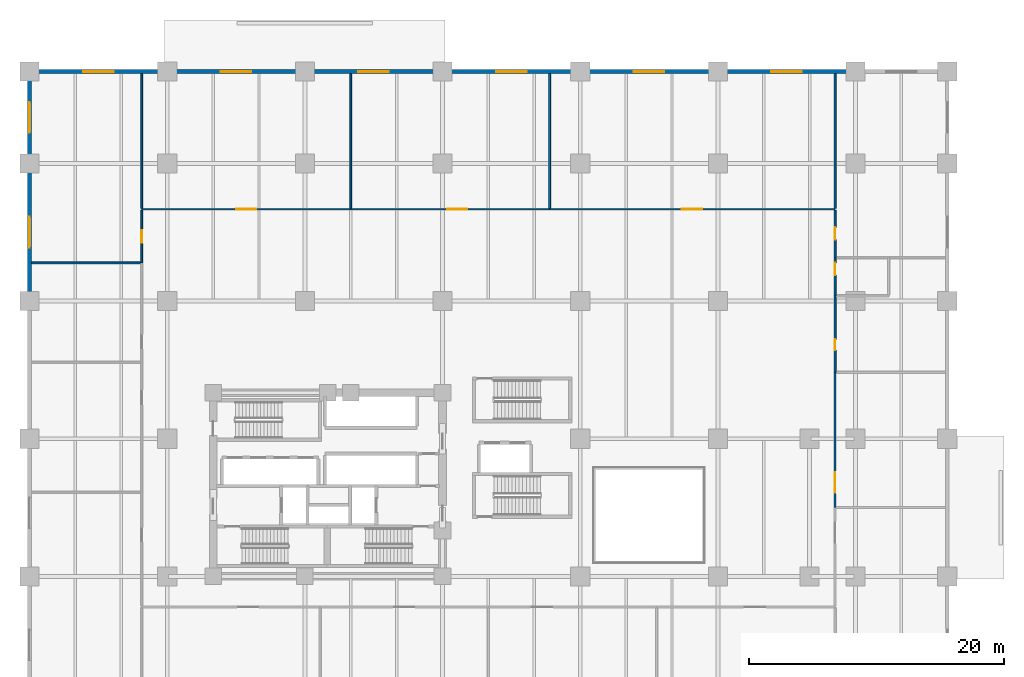
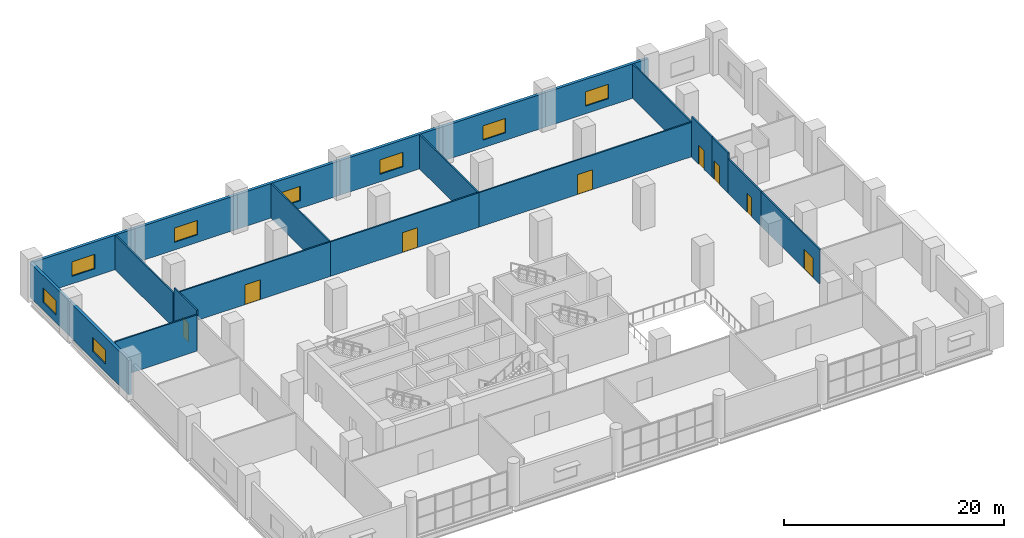
# One storey, part 12 of 16: 21 walls, 8 doors, 8 windows, 16 openings.
"""IFC4 building model written with IfcOpenShell, lengths in metres."""

from ifc_helpers import new_model, si_unit, direction, frame, frame_2d, origin, place, context, subcontext, project, spatial, rectangle, extrude, material, layer, layer_set, type_object, element, fill, save


model = new_model("IFC4")

# Units and contexts
model_context = context("Model", 3, precision=1e-05, world=origin(), true_north=direction((0.0, 1.0)))
body_context = subcontext(model_context, "Body", "Model", "MODEL_VIEW")
ifc_project = project(units=[si_unit("LENGTHUNIT", "METRE"), si_unit("AREAUNIT", "SQUARE_METRE"), si_unit("VOLUMEUNIT", "CUBIC_METRE"), si_unit("PLANEANGLEUNIT", "RADIAN"), si_unit("MASSUNIT", "GRAM", prefix="KILO")], contexts=[model_context])

# Site, building, storey
site_placement = place(None, origin())
site = spatial("IfcSite", under=ifc_project, at=site_placement, CompositionType="ELEMENT")
building_placement = place(site_placement, origin())
building = spatial("IfcBuilding", under=site, at=building_placement, Name="Solnavia Interchange Tower", CompositionType="ELEMENT")
storey_placement = place(building_placement, frame((0.0, 0.0, 5.39990234375)))
storey = spatial("IfcBuildingStorey", under=building, at=storey_placement, Name="L01", CompositionType="ELEMENT", Elevation=5.39990234375)

# Wall, opening, window
ifc_material_1 = material(Name="Concrete C40/50", Category="concrete")
ifc_layer_1 = layer(ifc_material_1, 0.300048828125)
ifc_layer_set_1 = layer_set([ifc_layer_1], Name="Concrete C40/50")
wall_type_1 = type_object("IfcWallType", Name="Wall-ExtSpandrel-300", PredefinedType="STANDARD", material=ifc_layer_set_1)
wall_1_placement = place(storey_placement, frame((0.0, 50.39990234375, 0.0), z_axis=(0.0, 0.0, 1.0), x_axis=(1.0, 0.0, 0.0)))
wall_1 = element("IfcWall", 1, at=wall_1_placement, inside=storey, type_object=wall_type_1, Name="EXW-L01-N01 North podium wall", PredefinedType="STANDARD", context=body_context, shape_type="SweptSolid", body=[
    extrude(rectangle(XDim=10.800048828125, YDim=0.300048828125, at=frame_2d((5.39990234375, 0.0))), origin(), (0.0, 0.0, 1.0), 3.830078125),
])
opening_1_placement = place(wall_1_placement, frame((4.199951171875, 0.0, 0.85009765625)))
opening_1 = element("IfcOpeningElement", 2, at=opening_1_placement, cuts=wall_1, Name="Opening WIN-06", PredefinedType="OPENING", context=body_context, shape_type="SweptSolid", body=[
    extrude(rectangle(XDim=2.39990234375, YDim=1.60009765625, at=frame_2d((1.199951171875, 0.800048828125))), frame((0.0, 0.16015625, 0.0), z_axis=(0.0, -1.0, 0.0), x_axis=(1.0, 0.0, 0.0)), (0.0, 0.0, 1.0), 0.320068359375),
])
ifc_material_2 = material(Name="Thermal-Break Aluminium & Low-E Glass", Category="aluminium")
window_type = type_object("IfcWindowType", Name="Window-Podium-2400x1600", PartitioningType="SINGLE_PANEL", PredefinedType="WINDOW", material=ifc_material_2)
window_1_placement = place(opening_1_placement, origin())
window_1 = element("IfcWindow", 3, at=window_1_placement, inside=storey, type_object=window_type, Name="WIN-L01-N01 North podium window", OverallHeight=1.60009765625, OverallWidth=2.39990234375, PartitioningType="SINGLE_PANEL", PredefinedType="WINDOW", context=body_context, shape_type="SweptSolid", body=[
    extrude(rectangle(XDim=2.39990234375, YDim=1.60009765625, at=frame_2d((1.199951171875, 0.800048828125))), frame((0.0, 0.030029296875, 0.0), z_axis=(0.0, -1.0, 0.0), x_axis=(1.0, 0.0, 0.0)), (0.0, 0.0, 1.0), 0.06005859375),
])
fill(opening_1, window_1)

wall_2_placement = place(storey_placement, frame((10.800048828125, 50.39990234375, 0.0), z_axis=(0.0, 0.0, 1.0), x_axis=(1.0, 0.0, 0.0)))
wall_2 = element("IfcWall", 4, at=wall_2_placement, inside=storey, type_object=wall_type_1, Name="EXW-L01-N02 North podium wall", PredefinedType="STANDARD", context=body_context, shape_type="SweptSolid", body=[
    extrude(rectangle(XDim=10.800048828125, YDim=0.300048828125, at=frame_2d((5.39990234375, 0.0))), origin(), (0.0, 0.0, 1.0), 3.830078125),
])
opening_2_placement = place(wall_2_placement, frame((4.199951171875, 0.0, 0.85009765625)))
opening_2 = element("IfcOpeningElement", 5, at=opening_2_placement, cuts=wall_2, Name="Opening WIN-06", PredefinedType="OPENING", context=body_context, shape_type="SweptSolid", body=[
    extrude(rectangle(XDim=2.39990234375, YDim=1.60009765625, at=frame_2d((1.199951171875, 0.800048828125))), frame((0.0, 0.16015625, 0.0), z_axis=(0.0, -1.0, 0.0), x_axis=(1.0, 0.0, 0.0)), (0.0, 0.0, 1.0), 0.320068359375),
])
window_2_placement = place(opening_2_placement, origin())
window_2 = element("IfcWindow", 6, at=window_2_placement, inside=storey, type_object=window_type, Name="WIN-L01-N02 North podium window", OverallHeight=1.60009765625, OverallWidth=2.39990234375, PartitioningType="SINGLE_PANEL", PredefinedType="WINDOW", context=body_context, shape_type="SweptSolid", body=[
    extrude(rectangle(XDim=2.39990234375, YDim=1.60009765625, at=frame_2d((1.199951171875, 0.800048828125))), frame((0.0, 0.030029296875, 0.0), z_axis=(0.0, -1.0, 0.0), x_axis=(1.0, 0.0, 0.0)), (0.0, 0.0, 1.0), 0.06005859375),
])
fill(opening_2, window_2)

wall_3_placement = place(storey_placement, frame((21.60009765625, 50.39990234375, 0.0), z_axis=(0.0, 0.0, 1.0), x_axis=(1.0, 0.0, 0.0)))
wall_3 = element("IfcWall", 7, at=wall_3_placement, inside=storey, type_object=wall_type_1, Name="EXW-L01-N03 North podium wall", PredefinedType="STANDARD", context=body_context, shape_type="SweptSolid", body=[
    extrude(rectangle(XDim=10.7998046875, YDim=0.300048828125, at=frame_2d((5.39990234375, 0.0))), origin(), (0.0, 0.0, 1.0), 3.830078125),
])
opening_3_placement = place(wall_3_placement, frame((4.199951171875, 0.0, 0.85009765625)))
opening_3 = element("IfcOpeningElement", 8, at=opening_3_placement, cuts=wall_3, Name="Opening WIN-06", PredefinedType="OPENING", context=body_context, shape_type="SweptSolid", body=[
    extrude(rectangle(XDim=2.39990234375, YDim=1.60009765625, at=frame_2d((1.199951171875, 0.800048828125))), frame((0.0, 0.16015625, 0.0), z_axis=(0.0, -1.0, 0.0), x_axis=(1.0, 0.0, 0.0)), (0.0, 0.0, 1.0), 0.320068359375),
])
window_3_placement = place(opening_3_placement, origin())
window_3 = element("IfcWindow", 9, at=window_3_placement, inside=storey, type_object=window_type, Name="WIN-L01-N03 North podium window", OverallHeight=1.60009765625, OverallWidth=2.39990234375, PartitioningType="SINGLE_PANEL", PredefinedType="WINDOW", context=body_context, shape_type="SweptSolid", body=[
    extrude(rectangle(XDim=2.39990234375, YDim=1.60009765625, at=frame_2d((1.199951171875, 0.800048828125))), frame((0.0, 0.030029296875, 0.0), z_axis=(0.0, -1.0, 0.0), x_axis=(1.0, 0.0, 0.0)), (0.0, 0.0, 1.0), 0.06005859375),
])
fill(opening_3, window_3)

wall_4_placement = place(storey_placement, frame((32.39990234375, 50.39990234375, 0.0), z_axis=(0.0, 0.0, 1.0), x_axis=(1.0, 0.0, 0.0)))
wall_4 = element("IfcWall", 10, at=wall_4_placement, inside=storey, type_object=wall_type_1, Name="EXW-L01-N04 North podium wall", PredefinedType="STANDARD", context=body_context, shape_type="SweptSolid", body=[
    extrude(rectangle(XDim=10.800048828125, YDim=0.300048828125, at=frame_2d((5.39990234375, 0.0))), origin(), (0.0, 0.0, 1.0), 3.830078125),
])
opening_4_placement = place(wall_4_placement, frame((4.199951171875, 0.0, 0.85009765625)))
opening_4 = element("IfcOpeningElement", 11, at=opening_4_placement, cuts=wall_4, Name="Opening WIN-06", PredefinedType="OPENING", context=body_context, shape_type="SweptSolid", body=[
    extrude(rectangle(XDim=2.39990234375, YDim=1.60009765625, at=frame_2d((1.199951171875, 0.800048828125))), frame((0.0, 0.16015625, 0.0), z_axis=(0.0, -1.0, 0.0), x_axis=(1.0, 0.0, 0.0)), (0.0, 0.0, 1.0), 0.320068359375),
])
window_4_placement = place(opening_4_placement, origin())
window_4 = element("IfcWindow", 12, at=window_4_placement, inside=storey, type_object=window_type, Name="WIN-L01-N04 North podium window", OverallHeight=1.60009765625, OverallWidth=2.39990234375, PartitioningType="SINGLE_PANEL", PredefinedType="WINDOW", context=body_context, shape_type="SweptSolid", body=[
    extrude(rectangle(XDim=2.39990234375, YDim=1.60009765625, at=frame_2d((1.199951171875, 0.800048828125))), frame((0.0, 0.030029296875, 0.0), z_axis=(0.0, -1.0, 0.0), x_axis=(1.0, 0.0, 0.0)), (0.0, 0.0, 1.0), 0.06005859375),
])
fill(opening_4, window_4)

wall_5_placement = place(storey_placement, frame((43.199951171875, 50.39990234375, 0.0), z_axis=(0.0, 0.0, 1.0), x_axis=(1.0, 0.0, 0.0)))
wall_5 = element("IfcWall", 13, at=wall_5_placement, inside=storey, type_object=wall_type_1, Name="EXW-L01-N05 North podium wall", PredefinedType="STANDARD", context=body_context, shape_type="SweptSolid", body=[
    extrude(rectangle(XDim=10.800048828125, YDim=0.300048828125, at=frame_2d((5.39990234375, 0.0))), origin(), (0.0, 0.0, 1.0), 3.830078125),
])
opening_5_placement = place(wall_5_placement, frame((4.199951171875, 0.0, 0.85009765625)))
opening_5 = element("IfcOpeningElement", 14, at=opening_5_placement, cuts=wall_5, Name="Opening WIN-06", PredefinedType="OPENING", context=body_context, shape_type="SweptSolid", body=[
    extrude(rectangle(XDim=2.39990234375, YDim=1.60009765625, at=frame_2d((1.199951171875, 0.800048828125))), frame((0.0, 0.16015625, 0.0), z_axis=(0.0, -1.0, 0.0), x_axis=(1.0, 0.0, 0.0)), (0.0, 0.0, 1.0), 0.320068359375),
])
window_5_placement = place(opening_5_placement, origin())
window_5 = element("IfcWindow", 15, at=window_5_placement, inside=storey, type_object=window_type, Name="WIN-L01-N05 North podium window", OverallHeight=1.60009765625, OverallWidth=2.39990234375, PartitioningType="SINGLE_PANEL", PredefinedType="WINDOW", context=body_context, shape_type="SweptSolid", body=[
    extrude(rectangle(XDim=2.39990234375, YDim=1.60009765625, at=frame_2d((1.199951171875, 0.800048828125))), frame((0.0, 0.030029296875, 0.0), z_axis=(0.0, -1.0, 0.0), x_axis=(1.0, 0.0, 0.0)), (0.0, 0.0, 1.0), 0.06005859375),
])
fill(opening_5, window_5)

wall_6_placement = place(storey_placement, frame((54.0, 50.39990234375, 0.0), z_axis=(0.0, 0.0, 1.0), x_axis=(1.0, 0.0, 0.0)))
wall_6 = element("IfcWall", 16, at=wall_6_placement, inside=storey, type_object=wall_type_1, Name="EXW-L01-N06 North podium wall", PredefinedType="STANDARD", context=body_context, shape_type="SweptSolid", body=[
    extrude(rectangle(XDim=10.800048828125, YDim=0.300048828125, at=frame_2d((5.39990234375, 0.0))), origin(), (0.0, 0.0, 1.0), 3.830078125),
])
opening_6_placement = place(wall_6_placement, frame((4.199951171875, 0.0, 0.85009765625)))
opening_6 = element("IfcOpeningElement", 17, at=opening_6_placement, cuts=wall_6, Name="Opening WIN-06", PredefinedType="OPENING", context=body_context, shape_type="SweptSolid", body=[
    extrude(rectangle(XDim=2.39990234375, YDim=1.60009765625, at=frame_2d((1.199951171875, 0.800048828125))), frame((0.0, 0.16015625, 0.0), z_axis=(0.0, -1.0, 0.0), x_axis=(1.0, 0.0, 0.0)), (0.0, 0.0, 1.0), 0.320068359375),
])
window_6_placement = place(opening_6_placement, origin())
window_6 = element("IfcWindow", 18, at=window_6_placement, inside=storey, type_object=window_type, Name="WIN-L01-N06 North podium window", OverallHeight=1.60009765625, OverallWidth=2.39990234375, PartitioningType="SINGLE_PANEL", PredefinedType="WINDOW", context=body_context, shape_type="SweptSolid", body=[
    extrude(rectangle(XDim=2.39990234375, YDim=1.60009765625, at=frame_2d((1.199951171875, 0.800048828125))), frame((0.0, 0.030029296875, 0.0), z_axis=(0.0, -1.0, 0.0), x_axis=(1.0, 0.0, 0.0)), (0.0, 0.0, 1.0), 0.06005859375),
])
fill(opening_6, window_6)

wall_7_placement = place(storey_placement, frame((0.0, 32.39990234375, 0.0), z_axis=(0.0, 0.0, 1.0), x_axis=(0.0, 1.0, 0.0)))
wall_7 = element("IfcWall", 19, at=wall_7_placement, inside=storey, type_object=wall_type_1, Name="EXW-L01-W04 West podium wall", PredefinedType="STANDARD", context=body_context, shape_type="SweptSolid", body=[
    extrude(rectangle(XDim=10.800048828125, YDim=0.300048828125, at=frame_2d((5.39990234375, 0.0))), origin(), (0.0, 0.0, 1.0), 3.830078125),
])
opening_7_placement = place(wall_7_placement, frame((4.199951171875, 0.0, 0.85009765625)))
opening_7 = element("IfcOpeningElement", 20, at=opening_7_placement, cuts=wall_7, Name="Opening WIN-06", PredefinedType="OPENING", context=body_context, shape_type="SweptSolid", body=[
    extrude(rectangle(XDim=2.39990234375, YDim=1.60009765625, at=frame_2d((1.199951171875, 0.800048828125))), frame((0.0, 0.16015625, 0.0), z_axis=(0.0, -1.0, 0.0), x_axis=(1.0, 0.0, 0.0)), (0.0, 0.0, 1.0), 0.320068359375),
])
window_7_placement = place(opening_7_placement, origin())
window_7 = element("IfcWindow", 21, at=window_7_placement, inside=storey, type_object=window_type, Name="WIN-L01-W04 West podium window", OverallHeight=1.60009765625, OverallWidth=2.39990234375, PartitioningType="SINGLE_PANEL", PredefinedType="WINDOW", context=body_context, shape_type="SweptSolid", body=[
    extrude(rectangle(XDim=2.39990234375, YDim=1.60009765625, at=frame_2d((1.199951171875, 0.800048828125))), frame((0.0, 0.030029296875, 0.0), z_axis=(0.0, -1.0, 0.0), x_axis=(1.0, 0.0, 0.0)), (0.0, 0.0, 1.0), 0.06005859375),
])
fill(opening_7, window_7)

wall_8_placement = place(storey_placement, frame((0.0, 43.199951171875, 0.0), z_axis=(0.0, 0.0, 1.0), x_axis=(0.0, 1.0, 0.0)))
wall_8 = element("IfcWall", 22, at=wall_8_placement, inside=storey, type_object=wall_type_1, Name="EXW-L01-W05 West podium wall", PredefinedType="STANDARD", context=body_context, shape_type="SweptSolid", body=[
    extrude(rectangle(XDim=7.199951171875, YDim=0.300048828125, at=frame_2d((3.60009765625, 0.0))), origin(), (0.0, 0.0, 1.0), 3.830078125),
])
opening_8_placement = place(wall_8_placement, frame((2.39990234375, 0.0, 0.85009765625)))
opening_8 = element("IfcOpeningElement", 23, at=opening_8_placement, cuts=wall_8, Name="Opening WIN-06", PredefinedType="OPENING", context=body_context, shape_type="SweptSolid", body=[
    extrude(rectangle(XDim=2.39990234375, YDim=1.60009765625, at=frame_2d((1.199951171875, 0.800048828125))), frame((0.0, 0.16015625, 0.0), z_axis=(0.0, -1.0, 0.0), x_axis=(1.0, 0.0, 0.0)), (0.0, 0.0, 1.0), 0.320068359375),
])
window_8_placement = place(opening_8_placement, origin())
window_8 = element("IfcWindow", 24, at=window_8_placement, inside=storey, type_object=window_type, Name="WIN-L01-W05 West podium window", OverallHeight=1.60009765625, OverallWidth=2.39990234375, PartitioningType="SINGLE_PANEL", PredefinedType="WINDOW", context=body_context, shape_type="SweptSolid", body=[
    extrude(rectangle(XDim=2.39990234375, YDim=1.60009765625, at=frame_2d((1.199951171875, 0.800048828125))), frame((0.0, 0.030029296875, 0.0), z_axis=(0.0, -1.0, 0.0), x_axis=(1.0, 0.0, 0.0)), (0.0, 0.0, 1.0), 0.06005859375),
])
fill(opening_8, window_8)

# Wall, opening, door
ifc_material_3 = material(Name="Gypsum Plasterboard & Steel Stud", Category="steel")
ifc_layer_2 = layer(ifc_material_3, 0.14990234375)
ifc_layer_set_2 = layer_set([ifc_layer_2], Name="Gypsum Plasterboard & Steel Stud")
wall_type_2 = type_object("IfcWallType", Name="Wall-Partition-150", PredefinedType="PARTITIONING", material=ifc_layer_set_2)
wall_9_placement = place(storey_placement, frame((8.800048828125, 39.60009765625, 0.0), z_axis=(0.0, 0.0, 1.0), x_axis=(1.0, 0.0, 0.0)))
wall_9 = element("IfcWall", 25, at=wall_9_placement, inside=storey, type_object=wall_type_2, Name="PTW-L01-08 Interior partition wall", PredefinedType="PARTITIONING", context=body_context, shape_type="SweptSolid", body=[
    extrude(rectangle(XDim=16.39990234375, YDim=0.14990234375, at=frame_2d((8.199951171875, 0.0))), origin(), (0.0, 0.0, 1.0), 3.830078125),
])
opening_9_placement = place(wall_9_placement, frame((7.39990234375, 0.0, 0.0)))
opening_9 = element("IfcOpeningElement", 26, at=opening_9_placement, cuts=wall_9, Name="Opening DR-08", PredefinedType="OPENING", context=body_context, shape_type="SweptSolid", body=[
    extrude(rectangle(XDim=1.60009765625, YDim=2.199951171875, at=frame_2d((0.800048828125, 1.10009765625))), frame((0.0, 0.0849609375, 0.0), z_axis=(0.0, -1.0, 0.0), x_axis=(1.0, 0.0, 0.0)), (0.0, 0.0, 1.0), 0.169921875),
])
ifc_material_4 = material(Name="Thermally Broken Aluminium & Toughened Glass", Category="aluminium")
door_type_1 = type_object("IfcDoorType", Name="Door-RetailDouble-1600x2200", OperationType="DOUBLE_DOOR_SINGLE_SWING", PredefinedType="DOOR", material=ifc_material_4)
door_1_placement = place(opening_9_placement, origin())
door_1 = element("IfcDoor", 27, at=door_1_placement, inside=storey, type_object=door_type_1, Name="DR-L01-05 Interior room door", OperationType="DOUBLE_DOOR_SINGLE_SWING", OverallHeight=2.199951171875, OverallWidth=1.60009765625, PredefinedType="DOOR", context=body_context, shape_type="SweptSolid", body=[
    extrude(rectangle(XDim=1.60009765625, YDim=2.199951171875, at=frame_2d((0.800048828125, 1.10009765625))), frame((0.0, 0.02490234375, 0.0), z_axis=(0.0, -1.0, 0.0), x_axis=(1.0, 0.0, 0.0)), (0.0, 0.0, 1.0), 0.050048828125),
])
fill(opening_9, door_1)

# Wall
wall_10_placement = place(storey_placement, frame((25.199951171875, 39.678955078125, 0.0), z_axis=(0.0, 0.0, 1.0), x_axis=(0.0, 1.0, 0.0)))
element("IfcWall", 28, at=wall_10_placement, inside=storey, type_object=wall_type_2, Name="PTW-L01-09 Interior partition wall", PredefinedType="PARTITIONING", context=body_context, shape_type="SweptSolid", body=[
    extrude(rectangle(XDim=10.567138671875, YDim=0.14990234375, at=frame_2d((5.28369140625, 0.0))), origin(), (0.0, 0.0, 1.0), 3.830078125),
])

# Wall, opening, door
wall_11_placement = place(storey_placement, frame((25.199951171875, 39.60009765625, 0.0), z_axis=(0.0, 0.0, 1.0), x_axis=(1.0, 0.0, 0.0)))
wall_11 = element("IfcWall", 29, at=wall_11_placement, inside=storey, type_object=wall_type_2, Name="PTW-L01-10 Interior partition wall", PredefinedType="PARTITIONING", context=body_context, shape_type="SweptSolid", body=[
    extrude(rectangle(XDim=15.60009765625, YDim=0.14990234375, at=frame_2d((7.800048828125, 0.0))), origin(), (0.0, 0.0, 1.0), 3.830078125),
])
opening_10_placement = place(wall_11_placement, frame((7.55810546875, 0.0, 0.0)))
opening_10 = element("IfcOpeningElement", 30, at=opening_10_placement, cuts=wall_11, Name="Opening DR-08", PredefinedType="OPENING", context=body_context, shape_type="SweptSolid", body=[
    extrude(rectangle(XDim=1.60009765625, YDim=2.199951171875, at=frame_2d((0.800048828125, 1.10009765625))), frame((0.0, 0.0849609375, 0.0), z_axis=(0.0, -1.0, 0.0), x_axis=(1.0, 0.0, 0.0)), (0.0, 0.0, 1.0), 0.169921875),
])
door_2_placement = place(opening_10_placement, origin())
door_2 = element("IfcDoor", 31, at=door_2_placement, inside=storey, type_object=door_type_1, Name="DR-L01-06 Interior room door", OperationType="DOUBLE_DOOR_SINGLE_SWING", OverallHeight=2.199951171875, OverallWidth=1.60009765625, PredefinedType="DOOR", context=body_context, shape_type="SweptSolid", body=[
    extrude(rectangle(XDim=1.60009765625, YDim=2.199951171875, at=frame_2d((0.800048828125, 1.10009765625))), frame((0.0, 0.02490234375, 0.0), z_axis=(0.0, -1.0, 0.0), x_axis=(1.0, 0.0, 0.0)), (0.0, 0.0, 1.0), 0.050048828125),
])
fill(opening_10, door_2)

# Wall
wall_12_placement = place(storey_placement, frame((40.800048828125, 39.678955078125, 0.0), z_axis=(0.0, 0.0, 1.0), x_axis=(0.0, 1.0, 0.0)))
element("IfcWall", 32, at=wall_12_placement, inside=storey, type_object=wall_type_2, Name="PTW-L01-11 Interior partition wall", PredefinedType="PARTITIONING", context=body_context, shape_type="SweptSolid", body=[
    extrude(rectangle(XDim=10.567138671875, YDim=0.14990234375, at=frame_2d((5.28369140625, 0.0))), origin(), (0.0, 0.0, 1.0), 3.830078125),
])

# Wall, opening, door
wall_13_placement = place(storey_placement, frame((40.800048828125, 39.60009765625, 0.0), z_axis=(0.0, 0.0, 1.0), x_axis=(1.0, 0.0, 0.0)))
wall_13 = element("IfcWall", 33, at=wall_13_placement, inside=storey, type_object=wall_type_2, Name="PTW-L01-12 Interior partition wall", PredefinedType="PARTITIONING", context=body_context, shape_type="SweptSolid", body=[
    extrude(rectangle(XDim=22.39990234375, YDim=0.14990234375, at=frame_2d((11.199951171875, 0.0))), origin(), (0.0, 0.0, 1.0), 3.830078125),
])
opening_11_placement = place(wall_13_placement, frame((10.360107421875, 0.0, 0.0)))
opening_11 = element("IfcOpeningElement", 34, at=opening_11_placement, cuts=wall_13, Name="Opening DR-08", PredefinedType="OPENING", context=body_context, shape_type="SweptSolid", body=[
    extrude(rectangle(XDim=1.60009765625, YDim=2.199951171875, at=frame_2d((0.800048828125, 1.10009765625))), frame((0.0, 0.0849609375, 0.0), z_axis=(0.0, -1.0, 0.0), x_axis=(1.0, 0.0, 0.0)), (0.0, 0.0, 1.0), 0.169921875),
])
door_3_placement = place(opening_11_placement, origin())
door_3 = element("IfcDoor", 35, at=door_3_placement, inside=storey, type_object=door_type_1, Name="DR-L01-07 Interior room door", OperationType="DOUBLE_DOOR_SINGLE_SWING", OverallHeight=2.199951171875, OverallWidth=1.60009765625, PredefinedType="DOOR", context=body_context, shape_type="SweptSolid", body=[
    extrude(rectangle(XDim=1.60009765625, YDim=2.199951171875, at=frame_2d((0.800048828125, 1.10009765625))), frame((0.0, 0.02490234375, 0.0), z_axis=(0.0, -1.0, 0.0), x_axis=(1.0, 0.0, 0.0)), (0.0, 0.0, 1.0), 0.050048828125),
])
fill(opening_11, door_3)

# Wall
wall_14_placement = place(storey_placement, frame((0.154052734375, 35.39990234375, 0.0), z_axis=(0.0, 0.0, 1.0), x_axis=(1.0, 0.0, 0.0)))
element("IfcWall", 36, at=wall_14_placement, inside=storey, type_object=wall_type_2, Name="PTW-L01-19 Interior partition wall", PredefinedType="PARTITIONING", context=body_context, shape_type="SweptSolid", body=[
    extrude(rectangle(XDim=8.56689453125, YDim=0.14990234375, at=frame_2d((4.283447265625, 0.0))), origin(), (0.0, 0.0, 1.0), 4.030029296875),
])

# Wall, opening, door
wall_15_placement = place(storey_placement, frame((8.800048828125, 35.39990234375, 0.0), z_axis=(0.0, 0.0, 1.0), x_axis=(0.0, 1.0, 0.0)))
wall_15 = element("IfcWall", 37, at=wall_15_placement, inside=storey, type_object=wall_type_2, Name="PTW-L01-20 Interior partition wall", PredefinedType="PARTITIONING", context=body_context, shape_type="SweptSolid", body=[
    extrude(rectangle(XDim=4.12109375, YDim=0.14990234375, at=frame_2d((2.060546875, 0.0))), origin(), (0.0, 0.0, 1.0), 4.485107421875),
])
opening_12_placement = place(wall_15_placement, frame((1.56103515625, 0.0, 0.0)))
opening_12 = element("IfcOpeningElement", 38, at=opening_12_placement, cuts=wall_15, Name="Opening DR-07", PredefinedType="OPENING", context=body_context, shape_type="SweptSolid", body=[
    extrude(rectangle(XDim=1.0, YDim=2.10009765625, at=frame_2d((0.5, 1.050048828125))), frame((0.0, 0.0849609375, 0.0), z_axis=(0.0, -1.0, 0.0), x_axis=(1.0, 0.0, 0.0)), (0.0, 0.0, 1.0), 0.169921875),
])
ifc_material_5 = material(Name="Timber & Acoustic Glazed Office Door", Category="wood")
door_type_2 = type_object("IfcDoorType", Name="Door-Office-1000x2100", OperationType="SINGLE_SWING_RIGHT", PredefinedType="DOOR", material=ifc_material_5)
door_4_placement = place(opening_12_placement, origin())
door_4 = element("IfcDoor", 39, at=door_4_placement, inside=storey, type_object=door_type_2, Name="DR-L01-11 Interior room door", OperationType="SINGLE_SWING_RIGHT", OverallHeight=2.10009765625, OverallWidth=1.0, PredefinedType="DOOR", context=body_context, shape_type="SweptSolid", body=[
    extrude(rectangle(XDim=1.0, YDim=2.10009765625, at=frame_2d((0.5, 1.050048828125))), frame((0.0, 0.02490234375, 0.0), z_axis=(0.0, -1.0, 0.0), x_axis=(1.0, 0.0, 0.0)), (0.0, 0.0, 1.0), 0.050048828125),
])
fill(opening_12, door_4)

# Wall
wall_16_placement = place(storey_placement, frame((8.800048828125, 39.678955078125, 0.0), z_axis=(0.0, 0.0, 1.0), x_axis=(0.0, 1.0, 0.0)))
element("IfcWall", 40, at=wall_16_placement, inside=storey, type_object=wall_type_2, Name="PTW-L01-21 Interior partition wall", PredefinedType="PARTITIONING", context=body_context, shape_type="SweptSolid", body=[
    extrude(rectangle(XDim=10.567138671875, YDim=0.14990234375, at=frame_2d((5.28369140625, 0.0))), origin(), (0.0, 0.0, 1.0), 3.830078125),
])

# Wall, opening, door
wall_17_placement = place(storey_placement, frame((63.199951171875, 16.199951171875, 0.0), z_axis=(0.0, 0.0, 1.0), x_axis=(0.0, 1.0, 0.0)))
wall_17 = element("IfcWall", 41, at=wall_17_placement, inside=storey, type_object=wall_type_2, Name="PTW-L01-25 Interior partition wall", PredefinedType="PARTITIONING", context=body_context, shape_type="SweptSolid", body=[
    extrude(rectangle(XDim=10.60009765625, YDim=0.14990234375, at=frame_2d((5.300048828125, 0.0))), origin(), (0.0, 0.0, 1.0), 3.830078125),
])
opening_13_placement = place(wall_17_placement, frame((1.172119140625, 0.0, 0.0)))
opening_13 = element("IfcOpeningElement", 42, at=opening_13_placement, cuts=wall_17, Name="Opening DR-08", PredefinedType="OPENING", context=body_context, shape_type="SweptSolid", body=[
    extrude(rectangle(XDim=1.60009765625, YDim=2.199951171875, at=frame_2d((0.800048828125, 1.10009765625))), frame((0.0, 0.0849609375, 0.0), z_axis=(0.0, -1.0, 0.0), x_axis=(1.0, 0.0, 0.0)), (0.0, 0.0, 1.0), 0.169921875),
])
door_5_placement = place(opening_13_placement, origin())
door_5 = element("IfcDoor", 43, at=door_5_placement, inside=storey, type_object=door_type_1, Name="DR-L01-13 Interior room door", OperationType="DOUBLE_DOOR_SINGLE_SWING", OverallHeight=2.199951171875, OverallWidth=1.60009765625, PredefinedType="DOOR", context=body_context, shape_type="SweptSolid", body=[
    extrude(rectangle(XDim=1.60009765625, YDim=2.199951171875, at=frame_2d((0.800048828125, 1.10009765625))), frame((0.0, 0.02490234375, 0.0), z_axis=(0.0, -1.0, 0.0), x_axis=(1.0, 0.0, 0.0)), (0.0, 0.0, 1.0), 0.050048828125),
])
fill(opening_13, door_5)

wall_18_placement = place(storey_placement, frame((63.199951171875, 35.800048828125, 0.0), z_axis=(0.0, 0.0, 1.0), x_axis=(0.0, 1.0, 0.0)))
wall_18 = element("IfcWall", 44, at=wall_18_placement, inside=storey, type_object=wall_type_2, Name="PTW-L01-32 Interior partition wall", PredefinedType="PARTITIONING", context=body_context, shape_type="SweptSolid", body=[
    extrude(rectangle(XDim=3.720947265625, YDim=0.14990234375, at=frame_2d((1.8603515625, 0.0))), origin(), (0.0, 0.0, 1.0), 4.485107421875),
])
opening_14_placement = place(wall_18_placement, frame((1.39990234375, 0.0, 0.0)))
opening_14 = element("IfcOpeningElement", 45, at=opening_14_placement, cuts=wall_18, Name="Opening DR-07", PredefinedType="OPENING", context=body_context, shape_type="SweptSolid", body=[
    extrude(rectangle(XDim=1.0, YDim=2.10009765625, at=frame_2d((0.5, 1.050048828125))), frame((0.0, 0.0849609375, 0.0), z_axis=(0.0, -1.0, 0.0), x_axis=(1.0, 0.0, 0.0)), (0.0, 0.0, 1.0), 0.169921875),
])
door_6_placement = place(opening_14_placement, origin())
door_6 = element("IfcDoor", 46, at=door_6_placement, inside=storey, type_object=door_type_2, Name="DR-L01-16 Interior room door", OperationType="SINGLE_SWING_LEFT", OverallHeight=2.10009765625, OverallWidth=1.0, PredefinedType="DOOR", context=body_context, shape_type="SweptSolid", body=[
    extrude(rectangle(XDim=1.0, YDim=2.10009765625, at=frame_2d((0.5, 1.050048828125))), frame((0.0, 0.02490234375, 0.0), z_axis=(0.0, -1.0, 0.0), x_axis=(1.0, 0.0, 0.0)), (0.0, 0.0, 1.0), 0.050048828125),
])
fill(opening_14, door_6)

# Wall
wall_19_placement = place(storey_placement, frame((63.199951171875, 39.678955078125, 0.0), z_axis=(0.0, 0.0, 1.0), x_axis=(0.0, 1.0, 0.0)))
element("IfcWall", 47, at=wall_19_placement, inside=storey, type_object=wall_type_2, Name="PTW-L01-33 Interior partition wall", PredefinedType="PARTITIONING", context=body_context, shape_type="SweptSolid", body=[
    extrude(rectangle(XDim=10.567138671875, YDim=0.14990234375, at=frame_2d((5.28369140625, 0.0))), origin(), (0.0, 0.0, 1.0), 3.830078125),
])

# Wall, opening, door
ifc_material_6 = material(Name="Moisture-Resistant Gypsum & Steel Stud", Category="steel")
ifc_layer_3 = layer(ifc_material_6, 0.14990234375)
ifc_layer_set_3 = layer_set([ifc_layer_3], Name="Moisture-Resistant Gypsum & Steel Stud")
wall_type_3 = type_object("IfcWallType", Name="Wall-WetRoom-150", PredefinedType="PARTITIONING", material=ifc_layer_set_3)
wall_20_placement = place(storey_placement, frame((63.199951171875, 26.800048828125, 0.0), z_axis=(0.0, 0.0, 1.0), x_axis=(0.0, 1.0, 0.0)))
wall_20 = element("IfcWall", 48, at=wall_20_placement, inside=storey, type_object=wall_type_3, Name="PTW-L01-27 Interior partition wall", PredefinedType="PARTITIONING", context=body_context, shape_type="SweptSolid", body=[
    extrude(rectangle(XDim=6.0, YDim=0.14990234375, at=frame_2d((3.0, 0.0))), origin(), (0.0, 0.0, 1.0), 3.830078125),
])
opening_15_placement = place(wall_20_placement, frame((1.720947265625, 0.0, 0.0)))
opening_15 = element("IfcOpeningElement", 49, at=opening_15_placement, cuts=wall_20, Name="Opening DR-09", PredefinedType="OPENING", context=body_context, shape_type="SweptSolid", body=[
    extrude(rectangle(XDim=0.89990234375, YDim=2.10009765625, at=frame_2d((0.449951171875, 1.050048828125))), frame((0.0, 0.0849609375, 0.0), z_axis=(0.0, -1.0, 0.0), x_axis=(1.0, 0.0, 0.0)), (0.0, 0.0, 1.0), 0.169921875),
])
ifc_material_7 = material(Name="Engineered Oak Veneer Door", Category="wood")
door_type_3 = type_object("IfcDoorType", Name="Door-Internal-900x2100", OperationType="SINGLE_SWING_LEFT", PredefinedType="DOOR", material=ifc_material_7)
door_7_placement = place(opening_15_placement, origin())
door_7 = element("IfcDoor", 50, at=door_7_placement, inside=storey, type_object=door_type_3, Name="DR-L01-14 Interior room door", OperationType="SINGLE_SWING_LEFT", OverallHeight=2.10009765625, OverallWidth=0.89990234375, PredefinedType="DOOR", context=body_context, shape_type="SweptSolid", body=[
    extrude(rectangle(XDim=0.89990234375, YDim=2.10009765625, at=frame_2d((0.449951171875, 1.050048828125))), frame((0.0, 0.02490234375, 0.0), z_axis=(0.0, -1.0, 0.0), x_axis=(1.0, 0.0, 0.0)), (0.0, 0.0, 1.0), 0.050048828125),
])
fill(opening_15, door_7)

wall_21_placement = place(storey_placement, frame((63.199951171875, 32.800048828125, 0.0), z_axis=(0.0, 0.0, 1.0), x_axis=(0.0, 1.0, 0.0)))
wall_21 = element("IfcWall", 51, at=wall_21_placement, inside=storey, type_object=wall_type_3, Name="PTW-L01-30 Interior partition wall", PredefinedType="PARTITIONING", context=body_context, shape_type="SweptSolid", body=[
    extrude(rectangle(XDim=3.0, YDim=0.14990234375, at=frame_2d((1.5, 0.0))), origin(), (0.0, 0.0, 1.0), 4.485107421875),
])
opening_16_placement = place(wall_21_placement, frame((1.6201171875, 0.0, 0.0)))
opening_16 = element("IfcOpeningElement", 52, at=opening_16_placement, cuts=wall_21, Name="Opening DR-07", PredefinedType="OPENING", context=body_context, shape_type="SweptSolid", body=[
    extrude(rectangle(XDim=1.0, YDim=2.10009765625, at=frame_2d((0.5, 1.050048828125))), frame((0.0, 0.0849609375, 0.0), z_axis=(0.0, -1.0, 0.0), x_axis=(1.0, 0.0, 0.0)), (0.0, 0.0, 1.0), 0.169921875),
])
door_8_placement = place(opening_16_placement, origin())
door_8 = element("IfcDoor", 53, at=door_8_placement, inside=storey, type_object=door_type_2, Name="DR-L01-15 Interior room door", OperationType="SINGLE_SWING_RIGHT", OverallHeight=2.10009765625, OverallWidth=1.0, PredefinedType="DOOR", context=body_context, shape_type="SweptSolid", body=[
    extrude(rectangle(XDim=1.0, YDim=2.10009765625, at=frame_2d((0.5, 1.050048828125))), frame((0.0, 0.02490234375, 0.0), z_axis=(0.0, -1.0, 0.0), x_axis=(1.0, 0.0, 0.0)), (0.0, 0.0, 1.0), 0.050048828125),
])
fill(opening_16, door_8)

save(model, "model.ifc")
